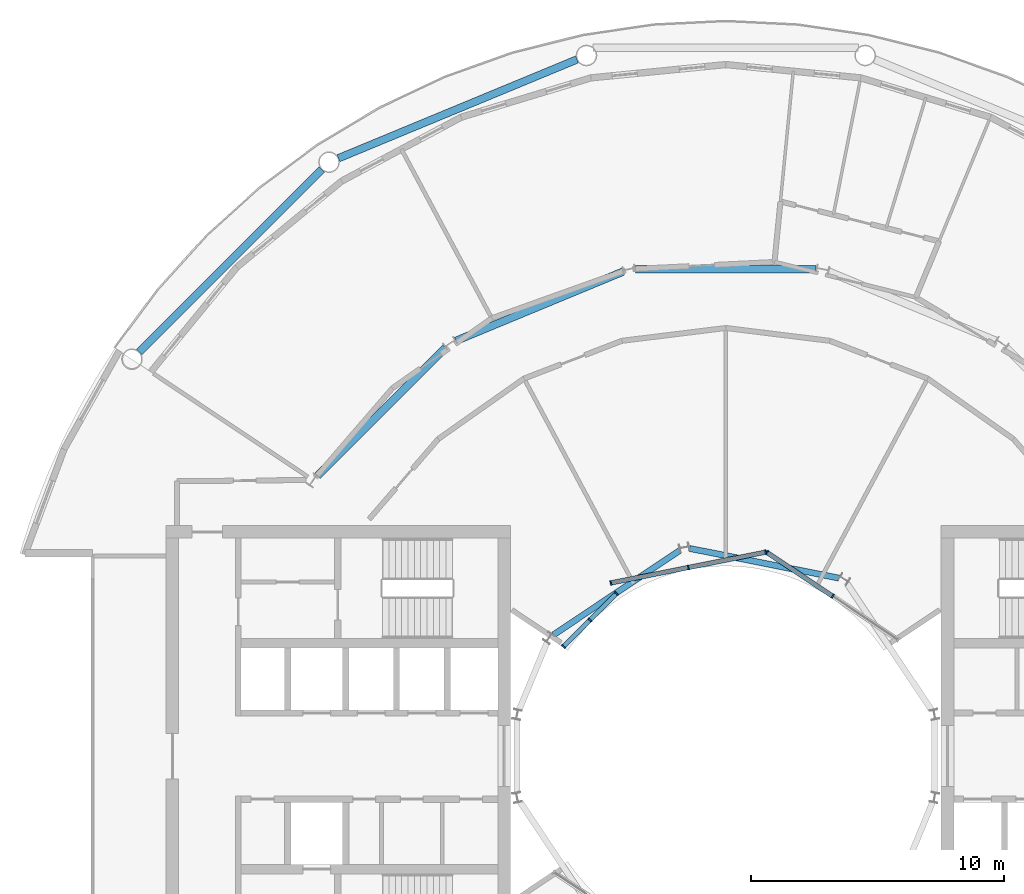
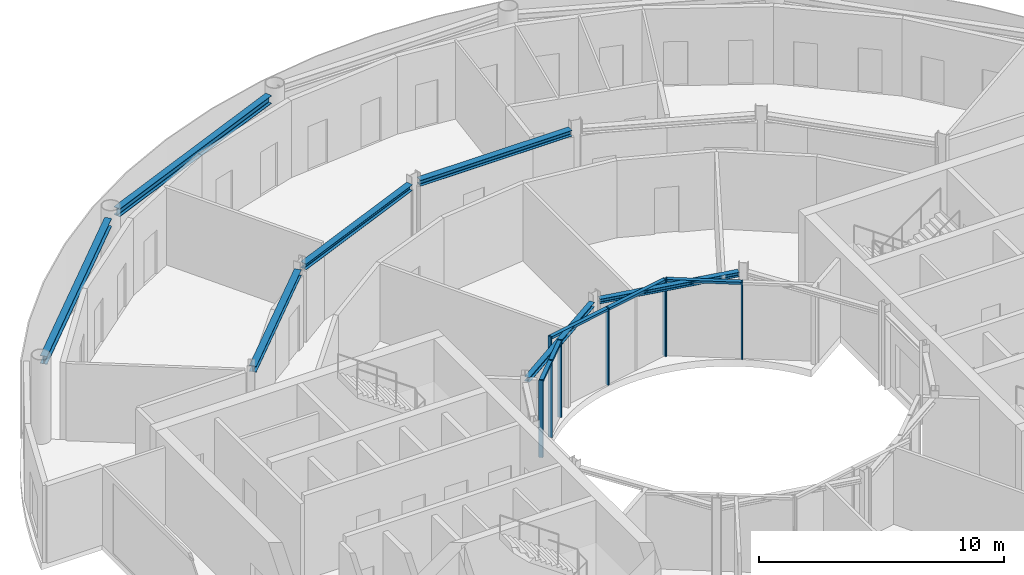
# One storey, part 8 of 21: 13 members, 7 beams, 3 elements without a shape of their own.
"""IFC4 building model written with IfcOpenShell, lengths in metres."""

from ifc_helpers import new_model, si_unit, direction, frame, origin, origin_2d, place, context, subcontext, project, spatial, rectangle, i_section, extrude, material, layer, layer_set, material_profile, profile_set, type_object, element, aggregate, save


model = new_model("IFC4")

# Units and contexts
model_context = context("Model", 3, precision=1e-05, world=origin(), true_north=direction((0.0, 1.0)))
body_context = subcontext(model_context, "Body", "Model", "MODEL_VIEW")
ifc_project = project(units=[si_unit("LENGTHUNIT", "METRE"), si_unit("AREAUNIT", "SQUARE_METRE"), si_unit("VOLUMEUNIT", "CUBIC_METRE"), si_unit("PLANEANGLEUNIT", "RADIAN"), si_unit("MASSUNIT", "GRAM", prefix="KILO")], contexts=[model_context])

# Site, building, storey
site_placement = place(None, origin())
site = spatial("IfcSite", under=ifc_project, at=site_placement, CompositionType="ELEMENT")
building_placement = place(site_placement, origin())
building = spatial("IfcBuilding", under=site, at=building_placement, Name="Maasbend Ring Residences", CompositionType="ELEMENT")
storey_placement = place(building_placement, frame((0.0, 0.0, 157.39990234375)))
storey = spatial("IfcBuildingStorey", under=building, at=storey_placement, Name="L45", CompositionType="ELEMENT", Elevation=157.39990234375)

# Curtain wall, members
ifc_material_1 = material(Name="Aluminium and clear glass", Category="aluminium")
ifc_layer = layer(ifc_material_1, 0.179931640625)
ifc_layer_set = layer_set([ifc_layer], Name="CW-W")
curtain_wall_type = type_object("IfcCurtainWallType", Name="CW-W", PredefinedType="NOTDEFINED", material=ifc_layer_set)
curtain_wall_1_placement = place(storey_placement, origin())
curtain_wall_1 = element("IfcCurtainWall", 1, at=curtain_wall_1_placement, inside=storey, type_object=curtain_wall_type, Name="Well curtain wall N1", PredefinedType="NOTDEFINED")
ifc_material_2 = material(Name="Aluminium 6063-T6", Category="aluminium")
ifc_material_profile_1 = material_profile(ifc_material_2, rectangle(XDim=0.179931640625, YDim=0.06005859375, at=origin_2d()), Name="AL 180x60")
ifc_profile_set_1 = profile_set([ifc_material_profile_1], Name="Aluminium 6063-T6")
member_type_1 = type_object("IfcMemberType", Name="CWM-W", PredefinedType="MULLION", material=ifc_profile_set_1)
member_1_placement = place(storey_placement, frame((4.216796875, 6.310791015625, 0.0), z_axis=(0.0, 0.0, 1.0), x_axis=(-0.55557023302, -0.831469612303, 0.0)))
member_1 = element("IfcMember", 2, at=member_1_placement, type_object=member_type_1, Name="Mullion well face", PredefinedType="MULLION", context=body_context, shape_type="SweptSolid", body=[
    extrude(rectangle(XDim=0.179931640625, YDim=0.06005859375, at=origin_2d()), origin(), (0.0, 0.0, 1.0), 3.85009765625),
])
member_2_placement = place(storey_placement, frame((1.627685546875, 8.040771484375, 0.0), z_axis=(0.0, 0.0, 1.0), x_axis=(-0.55557023302, -0.831469612303, 0.0)))
member_2 = element("IfcMember", 3, at=member_2_placement, type_object=member_type_1, Name="Mullion well face", PredefinedType="MULLION", context=body_context, shape_type="SweptSolid", body=[
    extrude(rectangle(XDim=0.179931640625, YDim=0.06005859375, at=origin_2d()), origin(), (0.0, 0.0, 1.0), 3.85009765625),
])

curtain_wall_2_placement = place(storey_placement, origin())
curtain_wall_2 = element("IfcCurtainWall", 4, at=curtain_wall_2_placement, inside=storey, type_object=curtain_wall_type, Name="Well curtain wall N2", PredefinedType="NOTDEFINED")
member_3_placement = place(storey_placement, frame((1.5732421875, 8.0517578125, 0.0), z_axis=(0.0, 0.0, 1.0), x_axis=(0.195090322016, -0.980785280403, 0.0)))
member_3 = element("IfcMember", 5, at=member_3_placement, type_object=member_type_1, Name="Mullion well face", PredefinedType="MULLION", context=body_context, shape_type="SweptSolid", body=[
    extrude(rectangle(XDim=0.179931640625, YDim=0.06005859375, at=origin_2d()), origin(), (0.0, 0.0, 1.0), 3.85009765625),
])
member_4_placement = place(storey_placement, frame((-1.480712890625, 7.444091796875, 0.0), z_axis=(0.0, 0.0, 1.0), x_axis=(0.195090322016, -0.980785280403, 0.0)))
member_4 = element("IfcMember", 6, at=member_4_placement, type_object=member_type_1, Name="Mullion well face", PredefinedType="MULLION", context=body_context, shape_type="SweptSolid", body=[
    extrude(rectangle(XDim=0.179931640625, YDim=0.06005859375, at=origin_2d()), origin(), (0.0, 0.0, 1.0), 3.85009765625),
])
member_5_placement = place(storey_placement, frame((-4.53466796875, 6.836669921875, 0.0), z_axis=(0.0, 0.0, 1.0), x_axis=(0.195090322016, -0.980785280403, 0.0)))
member_5 = element("IfcMember", 7, at=member_5_placement, type_object=member_type_1, Name="Mullion well face", PredefinedType="MULLION", context=body_context, shape_type="SweptSolid", body=[
    extrude(rectangle(XDim=0.179931640625, YDim=0.06005859375, at=origin_2d()), origin(), (0.0, 0.0, 1.0), 3.85009765625),
])

curtain_wall_3_placement = place(storey_placement, origin())
curtain_wall_3 = element("IfcCurtainWall", 8, at=curtain_wall_3_placement, inside=storey, type_object=curtain_wall_type, Name="Well curtain wall N3", PredefinedType="NOTDEFINED")
member_6_placement = place(storey_placement, frame((-4.320556640625, 6.413330078125, 0.0), z_axis=(0.0, 0.0, 1.0), x_axis=(0.707106781187, -0.707106781187, 0.0)))
member_6 = element("IfcMember", 9, at=member_6_placement, type_object=member_type_1, Name="Mullion well face", PredefinedType="MULLION", context=body_context, shape_type="SweptSolid", body=[
    extrude(rectangle(XDim=0.179931640625, YDim=0.06005859375, at=origin_2d()), origin(), (0.0, 0.0, 1.0), 3.85009765625),
])
member_7_placement = place(storey_placement, frame((-5.366943359375, 5.366943359375, 0.0), z_axis=(0.0, 0.0, 1.0), x_axis=(0.707106781187, -0.707106781187, 0.0)))
member_7 = element("IfcMember", 10, at=member_7_placement, type_object=member_type_1, Name="Mullion well face", PredefinedType="MULLION", context=body_context, shape_type="SweptSolid", body=[
    extrude(rectangle(XDim=0.179931640625, YDim=0.06005859375, at=origin_2d()), origin(), (0.0, 0.0, 1.0), 3.85009765625),
])
member_8_placement = place(storey_placement, frame((-6.413330078125, 4.320556640625, 0.0), z_axis=(0.0, 0.0, 1.0), x_axis=(0.707106781187, -0.707106781187, 0.0)))
member_8 = element("IfcMember", 11, at=member_8_placement, type_object=member_type_1, Name="Mullion well face", PredefinedType="MULLION", context=body_context, shape_type="SweptSolid", body=[
    extrude(rectangle(XDim=0.179931640625, YDim=0.06005859375, at=origin_2d()), origin(), (0.0, 0.0, 1.0), 3.85009765625),
])

# Member
ifc_material_3 = material(Name="Aluminium 6063-T6", Category="aluminium")
ifc_material_profile_2 = material_profile(ifc_material_3, rectangle(XDim=0.179931640625, YDim=0.1201171875, at=origin_2d()), Name="AL 180x120")
ifc_profile_set_2 = profile_set([ifc_material_profile_2], Name="Aluminium 6063-T6")
member_type_2 = type_object("IfcMemberType", Name="CWT-W", PredefinedType="USERDEFINED", material=ifc_profile_set_2)
member_9_placement = place(storey_placement, frame((4.19189453125, 6.32763671875, 3.7900390625), z_axis=(-0.831496422459, 0.555530106689, 0.0), x_axis=(-0.555530106689, -0.831496422459, 0.0)))
member_9 = element("IfcMember", 12, at=member_9_placement, type_object=member_type_2, Name="Transom well face", ObjectType="TRANSOM", PredefinedType="USERDEFINED", context=body_context, shape_type="SweptSolid", body=[
    extrude(rectangle(XDim=0.179931640625, YDim=0.1201171875, at=origin_2d()), origin(), (0.0, 0.0, 1.0), 3.053955078125),
])

aggregate(curtain_wall_1, [member_1, member_2, member_9])

member_10_placement = place(storey_placement, frame((1.5439453125, 8.0458984375, 3.7900390625), z_axis=(-0.980776956105, -0.195132166424, 0.0), x_axis=(0.195132166424, -0.980776956105, 0.0)))
member_10 = element("IfcMember", 13, at=member_10_placement, type_object=member_type_2, Name="Transom well face", ObjectType="TRANSOM", PredefinedType="USERDEFINED", context=body_context, shape_type="SweptSolid", body=[
    extrude(rectangle(XDim=0.179931640625, YDim=0.1201171875, at=origin_2d()), origin(), (0.0, 0.0, 1.0), 3.053955078125),
])

member_11_placement = place(storey_placement, frame((-1.51025390625, 7.438232421875, 3.7900390625), z_axis=(-0.980789210404, -0.19507056353, 0.0), x_axis=(0.19507056353, -0.980789210404, 0.0)))
member_11 = element("IfcMember", 14, at=member_11_placement, type_object=member_type_2, Name="Transom well face", ObjectType="TRANSOM", PredefinedType="USERDEFINED", context=body_context, shape_type="SweptSolid", body=[
    extrude(rectangle(XDim=0.179931640625, YDim=0.1201171875, at=origin_2d()), origin(), (0.0, 0.0, 1.0), 3.0537109375),
])

aggregate(curtain_wall_2, [member_3, member_4, member_5, member_10, member_11])

member_12_placement = place(storey_placement, frame((-4.341796875, 6.39208984375, 3.7900390625), z_axis=(-0.707106781187, -0.707106781187, 0.0), x_axis=(0.707106781187, -0.707106781187, 0.0)))
member_12 = element("IfcMember", 15, at=member_12_placement, type_object=member_type_2, Name="Transom well face", ObjectType="TRANSOM", PredefinedType="USERDEFINED", context=body_context, shape_type="SweptSolid", body=[
    extrude(rectangle(XDim=0.179931640625, YDim=0.1201171875, at=origin_2d()), origin(), (0.0, 0.0, 1.0), 1.419677734375),
])

member_13_placement = place(storey_placement, frame((-5.38818359375, 5.345703125, 3.7900390625), z_axis=(-0.707106781187, -0.707106781187, 0.0), x_axis=(0.707106781187, -0.707106781187, 0.0)))
member_13 = element("IfcMember", 16, at=member_13_placement, type_object=member_type_2, Name="Transom well face", ObjectType="TRANSOM", PredefinedType="USERDEFINED", context=body_context, shape_type="SweptSolid", body=[
    extrude(rectangle(XDim=0.179931640625, YDim=0.1201171875, at=origin_2d()), origin(), (0.0, 0.0, 1.0), 1.419677734375),
])

aggregate(curtain_wall_3, [member_6, member_7, member_8, member_12, member_13])

# Beams
ifc_material_4 = material(Name="Steel S355J2", Category="steel")
ifc_material_profile_3 = material_profile(ifc_material_4, i_section(OverallWidth=0.300048828125, OverallDepth=0.2900390625, WebThickness=0.008544921875, FlangeThickness=0.013916015625, FilletRadius=0.027099609375, at=origin_2d()), Name="HEA 300")
ifc_profile_set_3 = profile_set([ifc_material_profile_3], Name="Steel S355J2")
beam_type_1 = type_object("IfcBeamType", Name="Corridor ring beam HEA 300", PredefinedType="BEAM", material=ifc_profile_set_3)
beam_1_placement = place(storey_placement, frame((3.56884765625, 19.223388671875, 3.705078125), z_axis=(-1.0, 0.0, 0.0), x_axis=(0.0, -1.0, 0.0)))
element("IfcBeam", 17, at=beam_1_placement, inside=storey, type_object=beam_type_1, Name="Corridor ring beam", PredefinedType="BEAM", context=body_context, shape_type="SweptSolid", body=[
    extrude(i_section(OverallWidth=0.300048828125, OverallDepth=0.2900390625, WebThickness=0.008544921875, FlangeThickness=0.013916015625, FilletRadius=0.027099609375, at=origin_2d()), origin(), (0.0, 0.0, 1.0), 7.1376953125),
])
for number, where, z_axis, x_axis, name in (
    (18, (-4.059326171875, 19.1259765625, 3.705078125), (-0.923871339849, -0.382703210602, 0.0), (0.382703210602, -0.923871339849, 0.0), "Corridor ring beam"),
    (19, (-11.0693359375, 16.11669921875, 3.705078125), (-0.707106781187, -0.707106781187, 0.0), (0.707106781187, -0.707106781187, 0.0), "Corridor ring beam"),
):
    element("IfcBeam", number, at=place(storey_placement, frame(where, z_axis=z_axis, x_axis=x_axis)), inside=storey, type_object=beam_type_1, Name=name, PredefinedType="BEAM", context=body_context, shape_type="SweptSolid", body=[
        extrude(i_section(OverallWidth=0.300048828125, OverallDepth=0.2900390625, WebThickness=0.008544921875, FlangeThickness=0.013916015625, FilletRadius=0.027099609375, at=origin_2d()), origin(), (0.0, 0.0, 1.0), 7.137939453125),
    ])
ifc_material_5 = material(Name="Steel S355J2", Category="steel")
ifc_material_profile_4 = material_profile(ifc_material_5, i_section(OverallWidth=0.300048828125, OverallDepth=0.39990234375, WebThickness=0.013427734375, FlangeThickness=0.02392578125, FilletRadius=0.027099609375, at=origin_2d()), Name="HEB 400")
ifc_profile_set_4 = profile_set([ifc_material_profile_4], Name="Steel S355J2")
beam_type_2 = type_object("IfcBeamType", Name="Spandrel ring beam HEB 400", PredefinedType="SPANDREL", material=ifc_profile_set_4)
for number, where, z_axis, x_axis, name in (
    (20, (-5.877197265625, 27.50244140625, 3.650146484375), (-0.923883676188, -0.382673428492, 0.0), (0.382673428492, -0.923883676188, 0.0), "Spandrel ring beam"),
    (21, (-15.95458984375, 23.159912109375, 3.650146484375), (-0.707106781187, -0.707106781187, 0.0), (0.707106781187, -0.707106781187, 0.0), "Spandrel ring beam"),
):
    element("IfcBeam", number, at=place(storey_placement, frame(where, z_axis=z_axis, x_axis=x_axis)), inside=storey, type_object=beam_type_2, Name=name, PredefinedType="SPANDREL", context=body_context, shape_type="SweptSolid", body=[
        extrude(i_section(OverallWidth=0.300048828125, OverallDepth=0.39990234375, WebThickness=0.013427734375, FlangeThickness=0.02392578125, FilletRadius=0.027099609375, at=origin_2d()), origin(), (0.0, 0.0, 1.0), 10.18994140625),
    ])
ifc_material_6 = material(Name="Steel S355J2", Category="steel")
ifc_material_profile_5 = material_profile(ifc_material_6, i_section(OverallWidth=0.239990234375, OverallDepth=0.22998046875, WebThickness=0.007568359375, FlangeThickness=0.011962890625, FilletRadius=0.02099609375, at=origin_2d()), Name="HEA 240")
ifc_profile_set_5 = profile_set([ifc_material_profile_5], Name="Steel S355J2")
beam_type_3 = type_object("IfcBeamType", Name="Well edge beam HEA 240", PredefinedType="BEAM", material=ifc_profile_set_5)
beam_2_placement = place(storey_placement, frame((4.459716796875, 7.025390625, 3.735107421875), z_axis=(-0.980778695042, 0.195123425945, 0.0), x_axis=(-0.195123425945, -0.980778695042, 0.0)))
element("IfcBeam", 22, at=beam_2_placement, inside=storey, type_object=beam_type_3, Name="Well edge beam", PredefinedType="BEAM", context=body_context, shape_type="SweptSolid", body=[
    extrude(i_section(OverallWidth=0.239990234375, OverallDepth=0.22998046875, WebThickness=0.007568359375, FlangeThickness=0.011962890625, FilletRadius=0.02099609375, at=origin_2d()), origin(), (0.0, 0.0, 1.0), 6.007080078125),
])
beam_3_placement = place(storey_placement, frame((-1.814208984375, 8.121337890625, 3.735107421875), z_axis=(-0.831480850227, -0.555553413909, 0.0), x_axis=(0.555553413909, -0.831480850227, 0.0)))
element("IfcBeam", 23, at=beam_3_placement, inside=storey, type_object=beam_type_3, Name="Well edge beam", PredefinedType="BEAM", context=body_context, shape_type="SweptSolid", body=[
    extrude(i_section(OverallWidth=0.239990234375, OverallDepth=0.22998046875, WebThickness=0.007568359375, FlangeThickness=0.011962890625, FilletRadius=0.02099609375, at=origin_2d()), origin(), (0.0, 0.0, 1.0), 6.0068359375),
])

save(model, "model.ifc")
